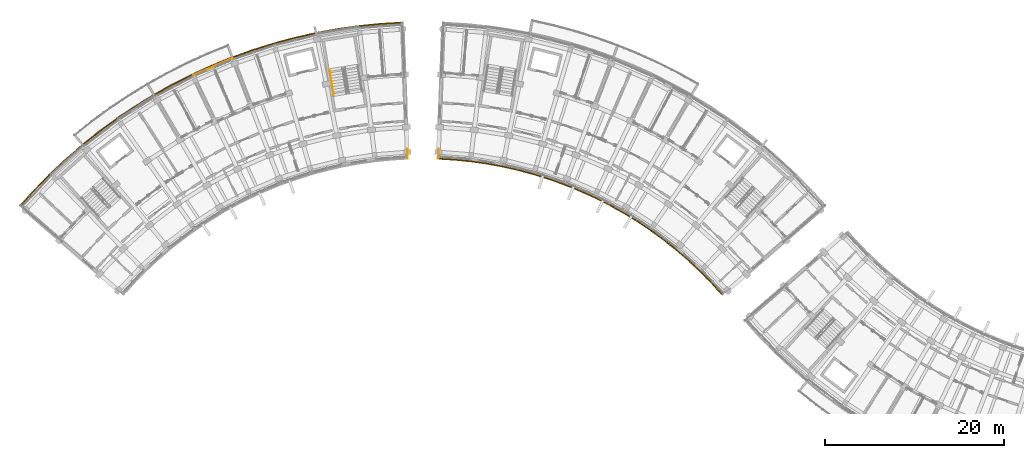
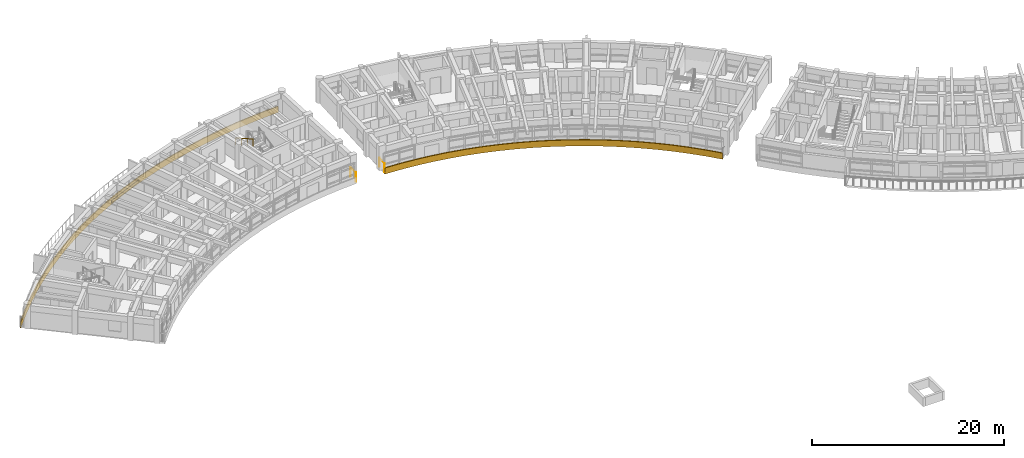
# One storey, part 62 of 70: 5 railings, 1 covering.
"""IFC4 building model written with IfcOpenShell, lengths in metres."""

from ifc_helpers import new_model, si_unit, direction, frame, origin, origin_2d, place, context, subcontext, project, spatial, polyline, rectangle, circle, outline, extrude, material, layer, layer_set, type_object, element, save


model = new_model("IFC4")

# Units and contexts
model_context = context("Model", 3, precision=1e-05, world=origin(), true_north=direction((0.0, 1.0)))
body_context = subcontext(model_context, "Body", "Model", "MODEL_VIEW")
ifc_project = project(units=[si_unit("LENGTHUNIT", "METRE"), si_unit("AREAUNIT", "SQUARE_METRE"), si_unit("VOLUMEUNIT", "CUBIC_METRE"), si_unit("PLANEANGLEUNIT", "RADIAN"), si_unit("MASSUNIT", "GRAM", prefix="KILO")], contexts=[model_context])

# Site, building, storey
site_placement = place(None, origin())
site = spatial("IfcSite", under=ifc_project, at=site_placement, CompositionType="ELEMENT")
building_placement = place(site_placement, origin())
building = spatial("IfcBuilding", under=site, at=building_placement, Name="Zimvara Arc Housing Community", CompositionType="ELEMENT")
storey_placement = place(building_placement, frame((0.0, 0.0, 8.10009765625)))
storey = spatial("IfcBuildingStorey", under=building, at=storey_placement, Name="L02", CompositionType="ELEMENT", Elevation=8.10009765625)

# Covering
ifc_material_1 = material(Name="Pale-Gold Anodised Aluminium Cladding", Category="aluminium")
ifc_layer = layer(ifc_material_1, 0.044921875)
ifc_layer_set = layer_set([ifc_layer], Name="Pale-Gold Anodised Aluminium Cladding")
covering_type = type_object("IfcCoveringType", Name="CLD-GOLD-02", PredefinedType="CLADDING", material=ifc_layer_set)
covering_placement = place(storey_placement, frame((21.51708984375, 99.1318359375, 0.009765625), z_axis=(0.0, 0.0, 1.0), x_axis=(0.918721611116, 0.394905813161, 0.0)))
element("IfcCovering", 1, at=covering_placement, inside=storey, type_object=covering_type, Name="cld:blkA:L02:out:b5", PredefinedType="CLADDING", context=body_context, shape_type="SweptSolid", body=[
    extrude(rectangle(XDim=4.748779296875, YDim=0.044921875, at=origin_2d()), origin(), (0.0, 0.0, 1.0), 0.300048828125),
])

# Railings
ifc_material_2 = material(Name="Anodised Aluminium AW-6063", Category="aluminium")
railing_type_1 = type_object("IfcRailingType", Name="RLG-BAL-1150", PredefinedType="BALUSTRADE", material=ifc_material_2)
railing_1_placement = place(storey_placement, frame((43.295654296875, 88.8671875, 0.0)))
element("IfcRailing", 2, at=railing_1_placement, inside=storey, type_object=railing_type_1, Name="rlg:blkA:L02:gable_in:gN", PredefinedType="BALUSTRADE", context=body_context, shape_type="SweptSolid", body=[
    extrude(circle(Radius=0.02392578125, at=origin_2d()), frame((0.0, 0.0, 1.1259765625), z_axis=(-0.038424441628, 0.999261508458, 0.0), x_axis=(-0.999261508458, -0.038424441628, 0.0)), (0.0, 0.0, 1.0), 1.080078125),
    extrude(circle(Radius=0.02099609375, at=origin_2d()), origin(), (0.0, 0.0, 1.0), 1.101806640625),
    extrude(circle(Radius=0.02099609375, at=origin_2d()), frame((-0.04150390625, 1.079345703125, 0.0)), (0.0, 0.0, 1.0), 1.101806640625),
])
railing_2_placement = place(storey_placement, frame((46.704345703125, 88.8671875, 0.0)))
element("IfcRailing", 3, at=railing_2_placement, inside=storey, type_object=railing_type_1, Name="rlg:blkB:L02:gable_in:g0", PredefinedType="BALUSTRADE", context=body_context, shape_type="SweptSolid", body=[
    extrude(circle(Radius=0.02392578125, at=origin_2d()), frame((0.0, 0.0, 1.1259765625), z_axis=(0.038424441628, 0.999261508458, 0.0), x_axis=(-0.999261508458, 0.038424441628, 0.0)), (0.0, 0.0, 1.0), 1.080078125),
    extrude(circle(Radius=0.02099609375, at=origin_2d()), origin(), (0.0, 0.0, 1.0), 1.101806640625),
    extrude(circle(Radius=0.02099609375, at=origin_2d()), frame((0.04150390625, 1.079345703125, 0.0)), (0.0, 0.0, 1.0), 1.101806640625),
])
ifc_material_3 = material(Name="Pale-Gold Anodised Aluminium AW-6063", Category="aluminium")
railing_type_2 = type_object("IfcRailingType", Name="RLG-FAS-780", PredefinedType="BALUSTRADE", material=ifc_material_3)
railing_3_placement = place(storey_placement, frame((0.0, 0.0, -0.22021484375)))
element("IfcRailing", 4, at=railing_3_placement, inside=storey, type_object=railing_type_2, Name="rlg:blkA:L02:gold_out", PredefinedType="BALUSTRADE", context=body_context, shape_type="SweptSolid", body=[
    extrude(outline(polyline([(0.049560546875, 83.574951171875), (1.682373046875, 85.377685546875), (3.387451171875, 87.112060546875), (5.162109375, 88.775634765625), (7.0029296875, 90.365234375), (8.9072265625, 91.87841796875), (10.871826171875, 93.3125), (12.893310546875, 94.665283203125), (14.96826171875, 95.934326171875), (17.09326171875, 97.11767578125), (19.264892578125, 98.213134765625), (21.4794921875, 99.218994140625), (23.733154296875, 100.1337890625), (26.0224609375, 100.955810546875), (28.34326171875, 101.68359375), (30.692138671875, 102.31591796875), (33.064453125, 102.851806640625), (35.45703125, 103.29052734375), (37.865234375, 103.631103515625), (40.28564453125, 103.873046875), (42.713623046875, 104.01611328125), (42.708984375, 104.135986328125), (40.276123046875, 103.99267578125), (37.850830078125, 103.750244140625), (35.437744140625, 103.408935546875), (33.04052734375, 102.969482421875), (30.6630859375, 102.432373046875), (28.309814453125, 101.798583984375), (25.984375, 101.069580078125), (23.6904296875, 100.245849609375), (21.43212890625, 99.329345703125), (19.213134765625, 98.3212890625), (17.037109375, 97.2236328125), (14.90771484375, 96.037841796875), (12.82861328125, 94.766357421875), (10.802978515625, 93.410888671875), (8.834716796875, 91.973876953125), (6.926513671875, 90.457763671875), (5.081787109375, 88.86474609375), (3.3037109375, 87.197998046875), (1.59521484375, 85.4599609375), (-0.041015625, 83.653564453125), (0.049560546875, 83.574951171875)])), origin(), (0.0, 0.0, 1.0), 0.780029296875),
])
railing_4_placement = place(storey_placement, frame((0.0, 0.0, -0.22021484375)))
element("IfcRailing", 5, at=railing_4_placement, inside=storey, type_object=railing_type_2, Name="rlg:blkB:L02:gold_in", PredefinedType="BALUSTRADE", context=body_context, shape_type="SweptSolid", body=[
    extrude(outline(polyline([(46.701416015625, 88.787353515625), (48.508056640625, 88.680908203125), (50.30908203125, 88.5009765625), (52.101318359375, 88.247314453125), (53.88134765625, 87.9208984375), (55.64697265625, 87.522216796875), (57.39453125, 87.051513671875), (59.12158203125, 86.510009765625), (60.8251953125, 85.8984375), (62.502197265625, 85.2177734375), (64.150146484375, 84.46923828125), (65.765869140625, 83.654052734375), (67.347412109375, 82.7734375), (68.891357421875, 81.8291015625), (70.3955078125, 80.822509765625), (71.857421875, 79.75537109375), (73.2744140625, 78.62939453125), (74.644287109375, 77.446533203125), (75.96484375, 76.208740234375), (77.233642578125, 74.91796875), (78.44873046875, 73.576416015625), (78.539306640625, 73.6552734375), (77.321044921875, 75.000244140625), (76.048583984375, 76.29443359375), (74.724609375, 77.53564453125), (73.35107421875, 78.721923828125), (71.93017578125, 79.850830078125), (70.46435546875, 80.9208984375), (68.9560546875, 81.93017578125), (67.40771484375, 82.877197265625), (65.822265625, 83.760009765625), (64.201904296875, 84.577392578125), (62.549560546875, 85.328125), (60.867919921875, 86.010498046875), (59.159912109375, 86.623779296875), (57.42822265625, 87.166748046875), (55.67578125, 87.638671875), (53.905517578125, 88.03857421875), (52.120361328125, 88.365966796875), (50.323486328125, 88.6201171875), (48.517578125, 88.800537109375), (46.7060546875, 88.9072265625), (46.701416015625, 88.787353515625)])), origin(), (0.0, 0.0, 1.0), 0.780029296875),
])
ifc_material_4 = material(Name="Anodised Aluminium AW-6063", Category="aluminium")
railing_type_3 = type_object("IfcRailingType", Name="RLG-HND-900", PredefinedType="HANDRAIL", material=ifc_material_4)
railing_5_placement = place(storey_placement, frame((34.58056640625, 98.7666015625, 1.704833984375)))
element("IfcRailing", 6, at=railing_5_placement, inside=storey, type_object=railing_type_3, Name="L02 ST-A2 stair handrail 2", PredefinedType="HANDRAIL", context=body_context, shape_type="SweptSolid", body=[
    extrude(circle(Radius=0.02392578125, at=origin_2d()), frame((0.0, 0.0, 0.8759765625), z_axis=(0.143721784145, -0.885666177347, 0.441519502474), x_axis=(0.987087819028, 0.160180016, 0.0)), (0.0, 0.0, 1.0), 3.15966796875),
    extrude(circle(Radius=0.02099609375, at=origin_2d()), origin(), (0.0, 0.0, 1.0), 0.851806640625),
    extrude(circle(Radius=0.02099609375, at=origin_2d()), frame((0.1513671875, -0.932861328125, 0.465087890625)), (0.0, 0.0, 1.0), 0.851806640625),
    extrude(circle(Radius=0.02099609375, at=origin_2d()), frame((0.302734375, -1.865478515625, 0.929931640625)), (0.0, 0.0, 1.0), 0.851806640625),
    extrude(circle(Radius=0.02099609375, at=origin_2d()), frame((0.4541015625, -2.79833984375, 1.39501953125)), (0.0, 0.0, 1.0), 0.851806640625),
])

save(model, "model.ifc")
